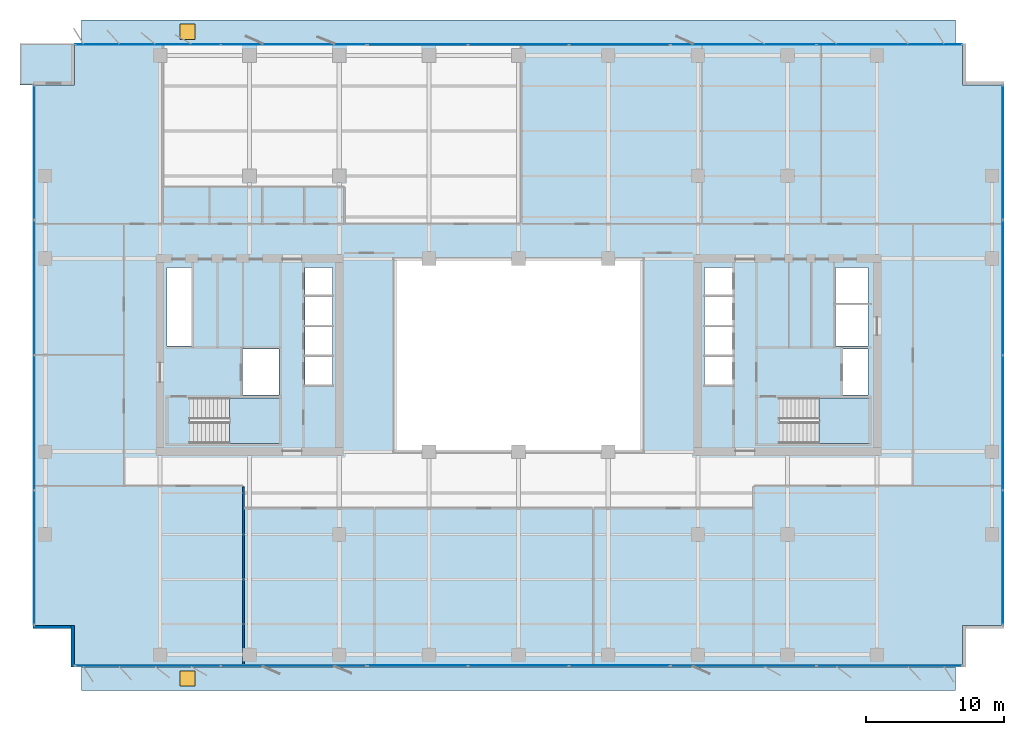
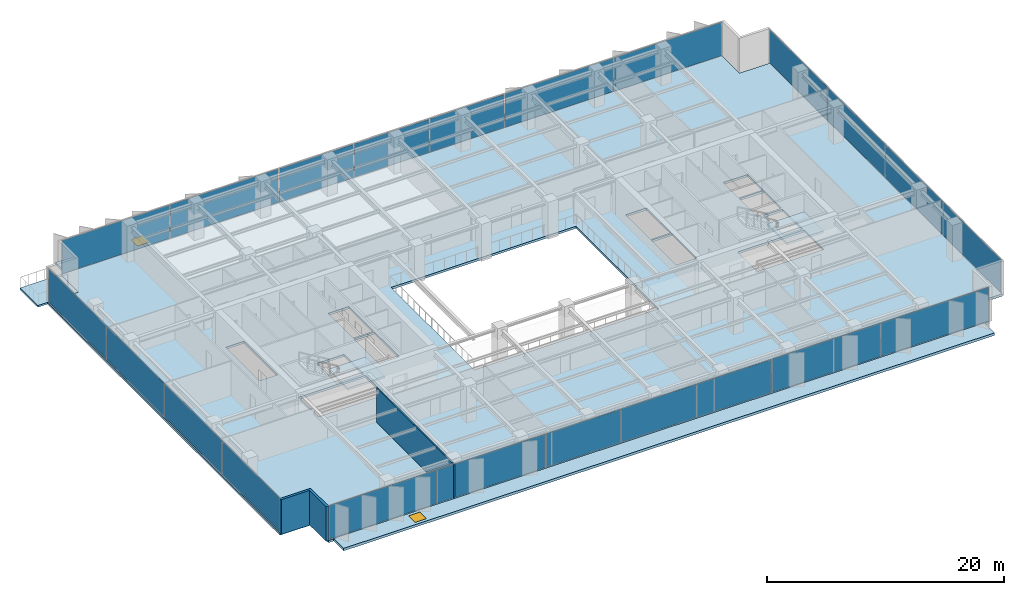
# One storey, part 14 of 22: 22 plates, 6 slabs, 3 walls, 2 doors, 2 openings, 10 elements without a shape of their own.
"""IFC4 building model written with IfcOpenShell, lengths in metres."""

from ifc_helpers import new_model, si_unit, direction, frame, frame_2d, origin, origin_2d, place, context, subcontext, project, spatial, polyline, rectangle, outline, extrude, material, layer, layer_set, type_object, element, fill, aggregate, save


model = new_model("IFC4")

# Units and contexts
model_context = context("Model", 3, precision=1e-05, world=origin(), true_north=direction((0.0, 1.0)))
body_context = subcontext(model_context, "Body", "Model", "MODEL_VIEW")
ifc_project = project(units=[si_unit("LENGTHUNIT", "METRE"), si_unit("AREAUNIT", "SQUARE_METRE"), si_unit("VOLUMEUNIT", "CUBIC_METRE"), si_unit("PLANEANGLEUNIT", "RADIAN"), si_unit("MASSUNIT", "GRAM", prefix="KILO")], contexts=[model_context])

# Site, building, storey
site_placement = place(None, origin())
site = spatial("IfcSite", under=ifc_project, at=site_placement, CompositionType="ELEMENT")
building_placement = place(site_placement, origin())
building = spatial("IfcBuilding", under=site, at=building_placement, Name="Putna Gate Headquarters", CompositionType="ELEMENT")
storey_placement = place(building_placement, frame((0.0, 0.0, 144.199951171875)))
storey = spatial("IfcBuildingStorey", under=building, at=storey_placement, Name="L35", CompositionType="ELEMENT", Elevation=144.199951171875)

# Stair, slab
ifc_material_1 = material(Name="Concrete C40/50", Category="concrete")
stair_type_1 = type_object("IfcStairType", Name="STAIR-ST1", PredefinedType="HALF_TURN_STAIR", material=ifc_material_1)
stair_1_placement = place(storey_placement, origin())
stair_1 = element("IfcStair", 1, at=stair_1_placement, inside=storey, type_object=stair_type_1, Name="L35 West Core Exit Stair ST1", PredefinedType="HALF_TURN_STAIR")
ifc_layer_1 = layer(ifc_material_1, 0.199951171875)
ifc_layer_set_1 = layer_set([ifc_layer_1], Name="Concrete C40/50")
slab_type_1 = type_object("IfcSlabType", Name="LANDING-ST1", PredefinedType="LANDING", material=ifc_layer_set_1)
slab_1_placement = place(storey_placement, frame((0.0, 0.0, 1.699951171875)))
slab_1 = element("IfcSlab", 2, at=slab_1_placement, type_object=slab_type_1, Name="ST1 landing 1", PredefinedType="LANDING", context=body_context, shape_type="SweptSolid", body=[
    extrude(outline(polyline([(18.050048828125, 19.60009765625), (21.64990234375, 19.60009765625), (21.64990234375, 22.89990234375), (18.050048828125, 22.89990234375), (18.050048828125, 19.60009765625)])), origin(), (0.0, 0.0, 1.0), 0.2001953125),
])
aggregate(stair_1, [slab_1])

stair_type_2 = type_object("IfcStairType", Name="STAIR-ST2", PredefinedType="HALF_TURN_STAIR", material=ifc_material_1)
stair_2_placement = place(storey_placement, origin())
stair_2 = element("IfcStair", 3, at=stair_2_placement, inside=storey, type_object=stair_type_2, Name="L35 East Core Exit Stair ST2", PredefinedType="HALF_TURN_STAIR")
ifc_layer_2 = layer(ifc_material_1, 0.199951171875)
ifc_layer_set_2 = layer_set([ifc_layer_2], Name="Concrete C40/50")
slab_type_2 = type_object("IfcSlabType", Name="LANDING-ST2", PredefinedType="LANDING", material=ifc_layer_set_2)
slab_2_placement = place(storey_placement, frame((0.0, 0.0, 1.699951171875)))
slab_2 = element("IfcSlab", 4, at=slab_2_placement, type_object=slab_type_2, Name="ST2 landing 1", PredefinedType="LANDING", context=body_context, shape_type="SweptSolid", body=[
    extrude(outline(polyline([(60.800048828125, 19.60009765625), (64.39990234375, 19.60009765625), (64.39990234375, 22.89990234375), (60.800048828125, 22.89990234375), (60.800048828125, 19.60009765625)])), origin(), (0.0, 0.0, 1.0), 0.2001953125),
])
aggregate(stair_2, [slab_2])

# Curtain wall, plates
ifc_material_2 = material(Name="Anodised bronze aluminium curtain wall", Category="aluminium")
ifc_layer_3 = layer(ifc_material_2, 0.159912109375)
ifc_layer_set_3 = layer_set([ifc_layer_3], Name="Anodised bronze aluminium curtain wall")
curtain_wall_type_1 = type_object("IfcCurtainWallType", Name="CW-SYS-Z3", PredefinedType="USERDEFINED", material=ifc_layer_set_3)
curtain_wall_1_placement = place(storey_placement, origin())
curtain_wall_1 = element("IfcCurtainWall", 5, at=curtain_wall_1_placement, inside=storey, type_object=curtain_wall_type_1, Name="L35 South West Curtain Wall", ObjectType="STICK CURTAIN WALL", PredefinedType="USERDEFINED")
ifc_material_3 = material(Name="Solar-control triple low-E glass", Category="glass")
ifc_layer_4 = layer(ifc_material_3, 0.028076171875)
ifc_layer_set_4 = layer_set([ifc_layer_4], Name="Solar-control triple low-E glass")
plate_type_1 = type_object("IfcPlateType", Name="PAN-CWP-3", PredefinedType="CURTAIN_PANEL", material=ifc_layer_set_4)
plate_1_placement = place(storey_placement, frame((12.1162109375, 3.47998046875, 0.06005859375), z_axis=(0.0, 0.0, 1.0), x_axis=(1.0, 0.0, 0.0)))
plate_1 = element("IfcPlate", 6, at=plate_1_placement, type_object=plate_type_1, Name="CWS-3 panel 1.1", PredefinedType="CURTAIN_PANEL", context=body_context, shape_type="SweptSolid", body=[
    extrude(rectangle(XDim=10.50244140625, YDim=0.028076171875, at=origin_2d()), origin(), (0.0, 0.0, 1.0), 3.451904296875),
])
plate_2_placement = place(storey_placement, frame((22.683837890625, 3.47998046875, 0.06005859375), z_axis=(0.0, 0.0, 1.0), x_axis=(1.0, 0.0, 0.0)))
plate_2 = element("IfcPlate", 7, at=plate_2_placement, type_object=plate_type_1, Name="CWS-3 panel 2.1", PredefinedType="CURTAIN_PANEL", context=body_context, shape_type="SweptSolid", body=[
    extrude(rectangle(XDim=10.50244140625, YDim=0.028076171875, at=origin_2d()), origin(), (0.0, 0.0, 1.0), 3.451904296875),
])
aggregate(curtain_wall_1, [plate_1, plate_2])

curtain_wall_2_placement = place(storey_placement, origin())
curtain_wall_2 = element("IfcCurtainWall", 8, at=curtain_wall_2_placement, inside=storey, type_object=curtain_wall_type_1, Name="L35 South East Curtain Wall", ObjectType="STICK CURTAIN WALL", PredefinedType="USERDEFINED")
plate_3_placement = place(storey_placement, frame((55.316162109375, 3.47998046875, 0.06005859375), z_axis=(0.0, 0.0, 1.0), x_axis=(1.0, 0.0, 0.0)))
plate_3 = element("IfcPlate", 9, at=plate_3_placement, type_object=plate_type_1, Name="CWS-3 panel 1.1", PredefinedType="CURTAIN_PANEL", context=body_context, shape_type="SweptSolid", body=[
    extrude(rectangle(XDim=10.50244140625, YDim=0.028076171875, at=origin_2d()), origin(), (0.0, 0.0, 1.0), 3.451904296875),
])
plate_4_placement = place(storey_placement, frame((65.8837890625, 3.47998046875, 0.06005859375), z_axis=(0.0, 0.0, 1.0), x_axis=(1.0, 0.0, 0.0)))
plate_4 = element("IfcPlate", 10, at=plate_4_placement, type_object=plate_type_1, Name="CWS-3 panel 2.1", PredefinedType="CURTAIN_PANEL", context=body_context, shape_type="SweptSolid", body=[
    extrude(rectangle(XDim=10.50244140625, YDim=0.028076171875, at=origin_2d()), origin(), (0.0, 0.0, 1.0), 3.451904296875),
])
aggregate(curtain_wall_2, [plate_3, plate_4])

curtain_wall_3_placement = place(storey_placement, origin())
curtain_wall_3 = element("IfcCurtainWall", 11, at=curtain_wall_3_placement, inside=storey, type_object=curtain_wall_type_1, Name="L35 North West Curtain Wall", ObjectType="STICK CURTAIN WALL", PredefinedType="USERDEFINED")
plate_5_placement = place(storey_placement, frame((12.1162109375, 48.52001953125, 0.06005859375), z_axis=(0.0, 0.0, 1.0), x_axis=(1.0, 0.0, 0.0)))
plate_5 = element("IfcPlate", 12, at=plate_5_placement, type_object=plate_type_1, Name="CWS-3 panel 1.1", PredefinedType="CURTAIN_PANEL", context=body_context, shape_type="SweptSolid", body=[
    extrude(rectangle(XDim=10.50244140625, YDim=0.028076171875, at=origin_2d()), origin(), (0.0, 0.0, 1.0), 3.451904296875),
])
plate_6_placement = place(storey_placement, frame((22.683837890625, 48.52001953125, 0.06005859375), z_axis=(0.0, 0.0, 1.0), x_axis=(1.0, 0.0, 0.0)))
plate_6 = element("IfcPlate", 13, at=plate_6_placement, type_object=plate_type_1, Name="CWS-3 panel 2.1", PredefinedType="CURTAIN_PANEL", context=body_context, shape_type="SweptSolid", body=[
    extrude(rectangle(XDim=10.50244140625, YDim=0.028076171875, at=origin_2d()), origin(), (0.0, 0.0, 1.0), 3.451904296875),
])
aggregate(curtain_wall_3, [plate_5, plate_6])

curtain_wall_4_placement = place(storey_placement, origin())
curtain_wall_4 = element("IfcCurtainWall", 14, at=curtain_wall_4_placement, inside=storey, type_object=curtain_wall_type_1, Name="L35 North East Curtain Wall", ObjectType="STICK CURTAIN WALL", PredefinedType="USERDEFINED")
plate_7_placement = place(storey_placement, frame((55.316162109375, 48.52001953125, 0.06005859375), z_axis=(0.0, 0.0, 1.0), x_axis=(1.0, 0.0, 0.0)))
plate_7 = element("IfcPlate", 15, at=plate_7_placement, type_object=plate_type_1, Name="CWS-3 panel 1.1", PredefinedType="CURTAIN_PANEL", context=body_context, shape_type="SweptSolid", body=[
    extrude(rectangle(XDim=10.50244140625, YDim=0.028076171875, at=origin_2d()), origin(), (0.0, 0.0, 1.0), 3.451904296875),
])
plate_8_placement = place(storey_placement, frame((65.8837890625, 48.52001953125, 0.06005859375), z_axis=(0.0, 0.0, 1.0), x_axis=(1.0, 0.0, 0.0)))
plate_8 = element("IfcPlate", 16, at=plate_8_placement, type_object=plate_type_1, Name="CWS-3 panel 2.1", PredefinedType="CURTAIN_PANEL", context=body_context, shape_type="SweptSolid", body=[
    extrude(rectangle(XDim=10.50244140625, YDim=0.028076171875, at=origin_2d()), origin(), (0.0, 0.0, 1.0), 3.451904296875),
])
aggregate(curtain_wall_4, [plate_7, plate_8])

curtain_wall_5_placement = place(storey_placement, origin())
curtain_wall_5 = element("IfcCurtainWall", 17, at=curtain_wall_5_placement, inside=storey, type_object=curtain_wall_type_1, Name="L35 West Curtain Wall", ObjectType="STICK CURTAIN WALL", PredefinedType="USERDEFINED")
plate_9_placement = place(storey_placement, frame((3.8798828125, 11.316162109375, 0.06005859375), z_axis=(0.0, 0.0, 1.0), x_axis=(0.0, 1.0, 0.0)))
plate_9 = element("IfcPlate", 18, at=plate_9_placement, type_object=plate_type_1, Name="CWS-3 panel 1.1", PredefinedType="CURTAIN_PANEL", context=body_context, shape_type="SweptSolid", body=[
    extrude(rectangle(XDim=9.702392578125, YDim=0.028076171875, at=origin_2d()), origin(), (0.0, 0.0, 1.0), 3.451904296875),
])
plate_10_placement = place(storey_placement, frame((3.8798828125, 21.10009765625, 0.06005859375), z_axis=(0.0, 0.0, 1.0), x_axis=(0.0, 1.0, 0.0)))
plate_10 = element("IfcPlate", 19, at=plate_10_placement, type_object=plate_type_1, Name="CWS-3 panel 2.1", PredefinedType="CURTAIN_PANEL", context=body_context, shape_type="SweptSolid", body=[
    extrude(rectangle(XDim=9.735107421875, YDim=0.028076171875, at=origin_2d()), origin(), (0.0, 0.0, 1.0), 3.451904296875),
])
plate_11_placement = place(storey_placement, frame((3.8798828125, 30.89990234375, 0.06005859375), z_axis=(0.0, 0.0, 1.0), x_axis=(0.0, 1.0, 0.0)))
plate_11 = element("IfcPlate", 20, at=plate_11_placement, type_object=plate_type_1, Name="CWS-3 panel 3.1", PredefinedType="CURTAIN_PANEL", context=body_context, shape_type="SweptSolid", body=[
    extrude(rectangle(XDim=9.735107421875, YDim=0.028076171875, at=origin_2d()), origin(), (0.0, 0.0, 1.0), 3.451904296875),
])
plate_12_placement = place(storey_placement, frame((3.8798828125, 40.683837890625, 0.06005859375), z_axis=(0.0, 0.0, 1.0), x_axis=(0.0, 1.0, 0.0)))
plate_12 = element("IfcPlate", 21, at=plate_12_placement, type_object=plate_type_1, Name="CWS-3 panel 4.1", PredefinedType="CURTAIN_PANEL", context=body_context, shape_type="SweptSolid", body=[
    extrude(rectangle(XDim=9.702392578125, YDim=0.028076171875, at=origin_2d()), origin(), (0.0, 0.0, 1.0), 3.451904296875),
])
aggregate(curtain_wall_5, [plate_9, plate_10, plate_11, plate_12])

curtain_wall_6_placement = place(storey_placement, origin())
curtain_wall_6 = element("IfcCurtainWall", 22, at=curtain_wall_6_placement, inside=storey, type_object=curtain_wall_type_1, Name="L35 East Curtain Wall", ObjectType="STICK CURTAIN WALL", PredefinedType="USERDEFINED")
plate_13_placement = place(storey_placement, frame((74.1201171875, 11.316162109375, 0.06005859375), z_axis=(0.0, 0.0, 1.0), x_axis=(0.0, 1.0, 0.0)))
plate_13 = element("IfcPlate", 23, at=plate_13_placement, type_object=plate_type_1, Name="CWS-3 panel 1.1", PredefinedType="CURTAIN_PANEL", context=body_context, shape_type="SweptSolid", body=[
    extrude(rectangle(XDim=9.702392578125, YDim=0.028076171875, at=origin_2d()), origin(), (0.0, 0.0, 1.0), 3.451904296875),
])
plate_14_placement = place(storey_placement, frame((74.1201171875, 21.10009765625, 0.06005859375), z_axis=(0.0, 0.0, 1.0), x_axis=(0.0, 1.0, 0.0)))
plate_14 = element("IfcPlate", 24, at=plate_14_placement, type_object=plate_type_1, Name="CWS-3 panel 2.1", PredefinedType="CURTAIN_PANEL", context=body_context, shape_type="SweptSolid", body=[
    extrude(rectangle(XDim=9.735107421875, YDim=0.028076171875, at=origin_2d()), origin(), (0.0, 0.0, 1.0), 3.451904296875),
])
plate_15_placement = place(storey_placement, frame((74.1201171875, 30.89990234375, 0.06005859375), z_axis=(0.0, 0.0, 1.0), x_axis=(0.0, 1.0, 0.0)))
plate_15 = element("IfcPlate", 25, at=plate_15_placement, type_object=plate_type_1, Name="CWS-3 panel 3.1", PredefinedType="CURTAIN_PANEL", context=body_context, shape_type="SweptSolid", body=[
    extrude(rectangle(XDim=9.735107421875, YDim=0.028076171875, at=origin_2d()), origin(), (0.0, 0.0, 1.0), 3.451904296875),
])
plate_16_placement = place(storey_placement, frame((74.1201171875, 40.683837890625, 0.06005859375), z_axis=(0.0, 0.0, 1.0), x_axis=(0.0, 1.0, 0.0)))
plate_16 = element("IfcPlate", 26, at=plate_16_placement, type_object=plate_type_1, Name="CWS-3 panel 4.1", PredefinedType="CURTAIN_PANEL", context=body_context, shape_type="SweptSolid", body=[
    extrude(rectangle(XDim=9.702392578125, YDim=0.028076171875, at=origin_2d()), origin(), (0.0, 0.0, 1.0), 3.451904296875),
])
aggregate(curtain_wall_6, [plate_13, plate_14, plate_15, plate_16])

ifc_layer_5 = layer(ifc_material_2, 0.179931640625)
ifc_layer_set_5 = layer_set([ifc_layer_5], Name="Anodised bronze aluminium curtain wall")
curtain_wall_type_2 = type_object("IfcCurtainWallType", Name="CW-SYS-ATR", PredefinedType="USERDEFINED", material=ifc_layer_set_5)
curtain_wall_7_placement = place(storey_placement, origin())
curtain_wall_7 = element("IfcCurtainWall", 27, at=curtain_wall_7_placement, inside=storey, type_object=curtain_wall_type_2, Name="L35 South Atrium Clear Glazing", ObjectType="ATRIUM GLAZING", PredefinedType="USERDEFINED")
ifc_material_4 = material(Name="Clear low-iron triple glazing", Category="glass")
ifc_layer_6 = layer(ifc_material_4, 0.0400390625)
ifc_layer_set_6 = layer_set([ifc_layer_6], Name="Clear low-iron triple glazing")
plate_type_2 = type_object("IfcPlateType", Name="PAN-CWP-AT", PredefinedType="CURTAIN_PANEL", material=ifc_layer_set_6)
plate_17_placement = place(storey_placement, frame((31.68408203125, 3.47998046875, 0.0703125), z_axis=(0.0, 0.0, 1.0), x_axis=(1.0, 0.0, 0.0)))
plate_17 = element("IfcPlate", 28, at=plate_17_placement, type_object=plate_type_2, Name="CWS-AT panel 1.1", PredefinedType="CURTAIN_PANEL", context=body_context, shape_type="SweptSolid", body=[
    extrude(rectangle(XDim=7.228271484375, YDim=0.0400390625, at=origin_2d()), origin(), (0.0, 0.0, 1.0), 3.431884765625),
])
plate_18_placement = place(storey_placement, frame((39.0, 3.47998046875, 0.0703125), z_axis=(0.0, 0.0, 1.0), x_axis=(1.0, 0.0, 0.0)))
plate_18 = element("IfcPlate", 29, at=plate_18_placement, type_object=plate_type_2, Name="CWS-AT panel 2.1", PredefinedType="CURTAIN_PANEL", context=body_context, shape_type="SweptSolid", body=[
    extrude(rectangle(XDim=7.263427734375, YDim=0.0400390625, at=origin_2d()), origin(), (0.0, 0.0, 1.0), 3.431884765625),
])
plate_19_placement = place(storey_placement, frame((46.31591796875, 3.47998046875, 0.0703125), z_axis=(0.0, 0.0, 1.0), x_axis=(1.0, 0.0, 0.0)))
plate_19 = element("IfcPlate", 30, at=plate_19_placement, type_object=plate_type_2, Name="CWS-AT panel 3.1", PredefinedType="CURTAIN_PANEL", context=body_context, shape_type="SweptSolid", body=[
    extrude(rectangle(XDim=7.228271484375, YDim=0.0400390625, at=origin_2d()), origin(), (0.0, 0.0, 1.0), 3.431884765625),
])
aggregate(curtain_wall_7, [plate_17, plate_18, plate_19])

curtain_wall_8_placement = place(storey_placement, origin())
curtain_wall_8 = element("IfcCurtainWall", 31, at=curtain_wall_8_placement, inside=storey, type_object=curtain_wall_type_2, Name="L35 North Atrium Clear Glazing", ObjectType="ATRIUM GLAZING", PredefinedType="USERDEFINED")
plate_20_placement = place(storey_placement, frame((31.68408203125, 48.52001953125, 0.0703125), z_axis=(0.0, 0.0, 1.0), x_axis=(1.0, 0.0, 0.0)))
plate_20 = element("IfcPlate", 32, at=plate_20_placement, type_object=plate_type_2, Name="CWS-AT panel 1.1", PredefinedType="CURTAIN_PANEL", context=body_context, shape_type="SweptSolid", body=[
    extrude(rectangle(XDim=7.228271484375, YDim=0.0400390625, at=origin_2d()), origin(), (0.0, 0.0, 1.0), 3.431884765625),
])
plate_21_placement = place(storey_placement, frame((39.0, 48.52001953125, 0.0703125), z_axis=(0.0, 0.0, 1.0), x_axis=(1.0, 0.0, 0.0)))
plate_21 = element("IfcPlate", 33, at=plate_21_placement, type_object=plate_type_2, Name="CWS-AT panel 2.1", PredefinedType="CURTAIN_PANEL", context=body_context, shape_type="SweptSolid", body=[
    extrude(rectangle(XDim=7.263427734375, YDim=0.0400390625, at=origin_2d()), origin(), (0.0, 0.0, 1.0), 3.431884765625),
])
plate_22_placement = place(storey_placement, frame((46.31591796875, 48.52001953125, 0.0703125), z_axis=(0.0, 0.0, 1.0), x_axis=(1.0, 0.0, 0.0)))
plate_22 = element("IfcPlate", 34, at=plate_22_placement, type_object=plate_type_2, Name="CWS-AT panel 3.1", PredefinedType="CURTAIN_PANEL", context=body_context, shape_type="SweptSolid", body=[
    extrude(rectangle(XDim=7.228271484375, YDim=0.0400390625, at=origin_2d()), origin(), (0.0, 0.0, 1.0), 3.431884765625),
])
aggregate(curtain_wall_8, [plate_20, plate_21, plate_22])

# Slab, opening, door
ifc_layer_7 = layer(ifc_material_1, 0.260009765625)
ifc_layer_set_7 = layer_set([ifc_layer_7], Name="Concrete C40/50")
slab_type_3 = type_object("IfcSlabType", Name="SLAB-PODIUM-ROOF-260", PredefinedType="ROOF", material=ifc_layer_set_7)
slab_3_placement = place(storey_placement, frame((0.0, 0.0, -0.2099609375)))
slab_3 = element("IfcSlab", 35, at=slab_3_placement, inside=storey, type_object=slab_type_3, Name="L35 Maintenance Setback Roof Slab S", PredefinedType="ROOF", context=body_context, shape_type="SweptSolid", body=[
    extrude(outline(polyline([(7.300048828125, 1.699951171875), (70.699951171875, 1.699951171875), (70.699951171875, 3.39990234375), (7.300048828125, 3.39990234375), (7.300048828125, 1.699951171875)])), origin(), (0.0, 0.0, 1.0), 0.260009765625),
])
opening_1_placement = place(slab_3_placement, frame((15.0, 2.550048828125, 0.0)))
opening_1 = element("IfcOpeningElement", 36, at=opening_1_placement, cuts=slab_3, Name="Opening RH-1", PredefinedType="OPENING", context=body_context, shape_type="SweptSolid", body=[
    extrude(rectangle(XDim=1.10009765625, YDim=1.10009765625, at=origin_2d()), origin(), (0.0, 0.0, 1.0), 0.260009765625),
])
ifc_material_5 = material(Name="Insulated aluminium roof access hatch", Category="aluminium")
door_type = type_object("IfcDoorType", Name="DOOR-ROOF-HATCH-1100", OperationType="SINGLE_SWING_LEFT", PredefinedType="TRAPDOOR", material=ifc_material_5)
door_1_placement = place(opening_1_placement, frame((0.0, 0.0, 0.2099609375)))
door_1 = element("IfcDoor", 37, at=door_1_placement, inside=storey, type_object=door_type, Name="L35 Roof Maintenance Hatch 3", OperationType="SINGLE_SWING_LEFT", OverallHeight=1.10009765625, OverallWidth=1.10009765625, PredefinedType="TRAPDOOR", context=body_context, shape_type="SweptSolid", body=[
    extrude(rectangle(XDim=1.10009765625, YDim=1.10009765625, at=origin_2d()), origin(), (0.0, 0.0, 1.0), 0.050048828125),
])
fill(opening_1, door_1)

slab_4_placement = place(storey_placement, frame((0.0, 0.0, -0.2099609375)))
slab_4 = element("IfcSlab", 38, at=slab_4_placement, inside=storey, type_object=slab_type_3, Name="L35 Maintenance Setback Roof Slab N", PredefinedType="ROOF", context=body_context, shape_type="SweptSolid", body=[
    extrude(outline(polyline([(7.300048828125, 48.60009765625), (70.699951171875, 48.60009765625), (70.699951171875, 50.300048828125), (7.300048828125, 50.300048828125), (7.300048828125, 48.60009765625)])), origin(), (0.0, 0.0, 1.0), 0.260009765625),
])
opening_2_placement = place(slab_4_placement, frame((15.0, 49.449951171875, 0.0)))
opening_2 = element("IfcOpeningElement", 39, at=opening_2_placement, cuts=slab_4, Name="Opening RH-1", PredefinedType="OPENING", context=body_context, shape_type="SweptSolid", body=[
    extrude(rectangle(XDim=1.10009765625, YDim=1.10009765625, at=origin_2d()), origin(), (0.0, 0.0, 1.0), 0.260009765625),
])
door_2_placement = place(opening_2_placement, frame((0.0, 0.0, 0.2099609375)))
door_2 = element("IfcDoor", 40, at=door_2_placement, inside=storey, type_object=door_type, Name="L35 Roof Maintenance Hatch 5", OperationType="SINGLE_SWING_LEFT", OverallHeight=1.10009765625, OverallWidth=1.10009765625, PredefinedType="TRAPDOOR", context=body_context, shape_type="SweptSolid", body=[
    extrude(rectangle(XDim=1.10009765625, YDim=1.10009765625, at=origin_2d()), origin(), (0.0, 0.0, 1.0), 0.050048828125),
])
fill(opening_2, door_2)

# Slabs
ifc_layer_8 = layer(ifc_material_1, 0.179931640625)
ifc_layer_set_8 = layer_set([ifc_layer_8], Name="Concrete C40/50")
slab_type_4 = type_object("IfcSlabType", Name="SLAB-TERRACE-180", PredefinedType="FLOOR", material=ifc_layer_set_8)
slab_5_placement = place(storey_placement, frame((0.0, 0.0, -0.179931640625)))
element("IfcSlab", 41, at=slab_5_placement, inside=storey, type_object=slab_type_4, Name="L35 Spiral Sky-Garden Terrace Slab (NW)", PredefinedType="FLOOR", context=body_context, shape_type="SweptSolid", body=[
    extrude(outline(polyline([(2.85009765625, 45.592041015625), (6.80810546875, 45.592041015625), (6.80810546875, 48.60009765625), (2.85009765625, 48.60009765625), (2.85009765625, 45.592041015625)])), origin(), (0.0, 0.0, 1.0), 0.179931640625),
])
ifc_layer_9 = layer(ifc_material_1, 0.22802734375)
ifc_layer_set_9 = layer_set([ifc_layer_9], Name="Concrete C40/50")
slab_type_5 = type_object("IfcSlabType", Name="SLAB-Z3-228", PredefinedType="FLOOR", material=ifc_layer_set_9)
slab_6_placement = place(storey_placement, frame((0.0, 0.0, -0.22802734375)))
element("IfcSlab", 42, at=slab_6_placement, inside=storey, type_object=slab_type_5, Name="L35 Composite Floor Slab", PredefinedType="FLOOR", context=body_context, shape_type="SweptSolid", body=[
    extrude(outline(polyline([(6.800048828125, 3.39990234375), (71.199951171875, 3.39990234375), (71.199951171875, 6.39990234375), (74.199951171875, 6.39990234375), (74.199951171875, 45.60009765625), (71.199951171875, 45.60009765625), (71.199951171875, 48.60009765625), (6.800048828125, 48.60009765625), (6.800048828125, 45.60009765625), (3.800048828125, 45.60009765625), (3.800048828125, 6.39990234375), (6.800048828125, 6.39990234375), (6.800048828125, 3.39990234375)]), holes=[polyline([(15.1650390625, 19.60009765625), (21.64990234375, 19.60009765625), (21.64990234375, 22.89990234375), (15.1650390625, 22.89990234375), (15.1650390625, 19.60009765625)]), polyline([(57.9150390625, 19.60009765625), (64.39990234375, 19.60009765625), (64.39990234375, 22.89990234375), (57.9150390625, 22.89990234375), (57.9150390625, 19.60009765625)]), polyline([(13.52001953125, 26.659912109375), (15.280029296875, 26.659912109375), (15.280029296875, 32.35009765625), (13.52001953125, 32.35009765625), (13.52001953125, 26.659912109375)]), polyline([(61.969970703125, 29.780029296875), (64.35009765625, 29.780029296875), (64.35009765625, 32.35009765625), (61.969970703125, 32.35009765625), (61.969970703125, 29.780029296875)]), polyline([(18.97998046875, 23.1201171875), (21.6201171875, 23.1201171875), (21.6201171875, 26.4599609375), (18.97998046875, 26.4599609375), (18.97998046875, 23.1201171875)]), polyline([(62.52001953125, 23.1201171875), (64.35009765625, 23.1201171875), (64.35009765625, 26.4599609375), (62.52001953125, 26.4599609375), (62.52001953125, 23.1201171875)]), polyline([(61.969970703125, 26.659912109375), (64.35009765625, 26.659912109375), (64.35009765625, 29.6201171875), (61.969970703125, 29.6201171875), (61.969970703125, 26.659912109375)]), polyline([(23.5, 23.860107421875), (25.5, 23.860107421875), (25.5, 28.0400390625), (23.5, 28.0400390625), (23.5, 23.860107421875)]), polyline([(52.47998046875, 23.860107421875), (54.5, 23.860107421875), (54.5, 28.0400390625), (52.47998046875, 28.0400390625), (52.47998046875, 23.860107421875)]), polyline([(23.5, 28.199951171875), (25.5, 28.199951171875), (25.5, 32.35009765625), (23.5, 32.35009765625), (23.5, 28.199951171875)]), polyline([(52.47998046875, 28.199951171875), (54.5, 28.199951171875), (54.5, 32.35009765625), (52.47998046875, 32.35009765625), (52.47998046875, 28.199951171875)]), polyline([(30.0, 19.0), (48.0, 19.0), (48.0, 33.0), (30.0, 33.0), (30.0, 19.0)])]), origin(), (0.0, 0.0, 1.0), 0.22802734375),
])

# Walls
ifc_material_6 = material(Name="Precast concrete C40/50", Category="concrete")
ifc_layer_10 = layer(ifc_material_6, 0.239990234375)
ifc_layer_set_10 = layer_set([ifc_layer_10], Name="Precast concrete C40/50")
wall_type_1 = type_object("IfcWallType", Name="WALL-EXT-TERR-240", PredefinedType="STANDARD", material=ifc_layer_set_10)
for number, where, z_axis, x_axis, name in (
    (43, (6.679931640625, 3.39990234375, 0.0), (0.0, 0.0, 1.0), (0.0, 1.0, 0.0), "L35 Corner Notch Return Wall SW-V"),
    (44, (6.800048828125, 6.280029296875, 0.0), (0.0, 0.0, 1.0), (-1.0, 0.0, 0.0), "L35 Corner Notch Return Wall SW-H"),
):
    element("IfcWall", number, at=place(storey_placement, frame(where, z_axis=z_axis, x_axis=x_axis)), inside=storey, type_object=wall_type_1, Name=name, PredefinedType="STANDARD", context=body_context, shape_type="SweptSolid", body=[
        extrude(rectangle(XDim=3.0, YDim=0.239990234375, at=frame_2d((1.5, 0.0))), origin(), (0.0, 0.0, 1.0), 3.572021484375),
    ])
ifc_material_7 = material(Name="Acoustic gypsum board on metal stud")
ifc_layer_11 = layer(ifc_material_7, 0.1201171875)
ifc_layer_set_11 = layer_set([ifc_layer_11], Name="Acoustic gypsum board on metal stud")
wall_type_2 = type_object("IfcWallType", Name="WALL-PART-120", PredefinedType="PARTITIONING", material=ifc_layer_set_11)
wall_placement = place(storey_placement, frame((19.0595703125, 3.419921875, 0.0), z_axis=(0.0, 0.0, 1.0), x_axis=(0.0, 1.0, 0.0)))
element("IfcWall", 45, at=wall_placement, inside=storey, type_object=wall_type_2, Name="L35 Interior Wall PART-L35-SB-DIV-01", PredefinedType="PARTITIONING", context=body_context, shape_type="SweptSolid", body=[
    extrude(rectangle(XDim=13.02001953125, YDim=0.1201171875, at=frame_2d((6.510009765625, 0.0))), origin(), (0.0, 0.0, 1.0), 3.572021484375),
])

save(model, "model.ifc")
